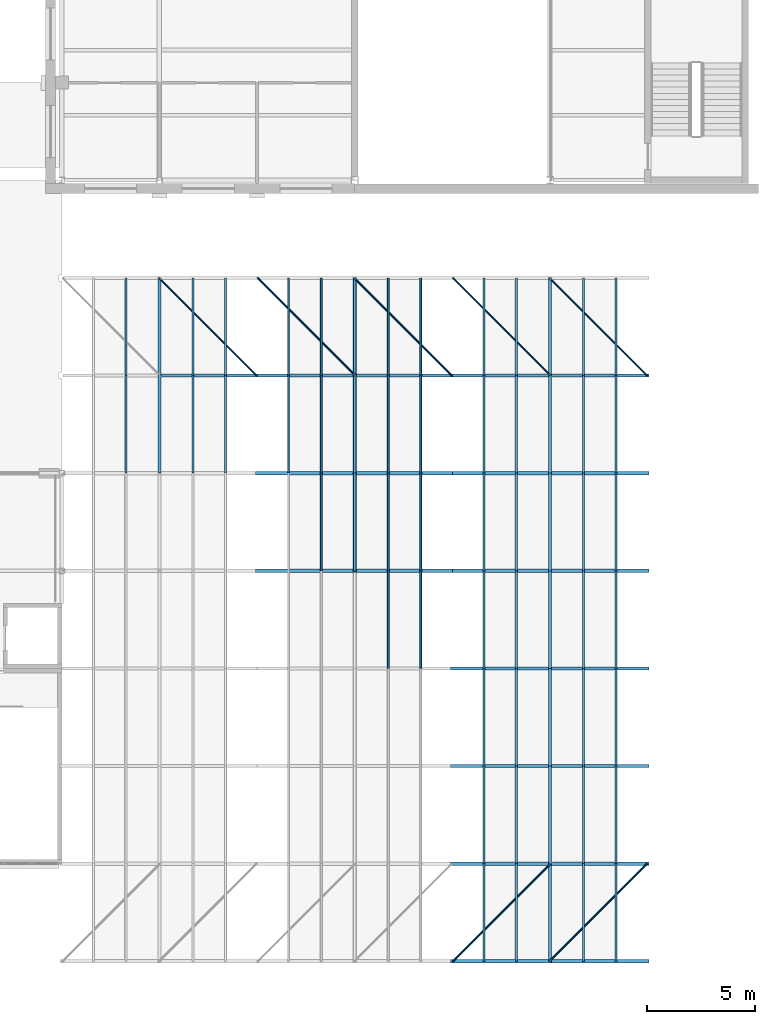
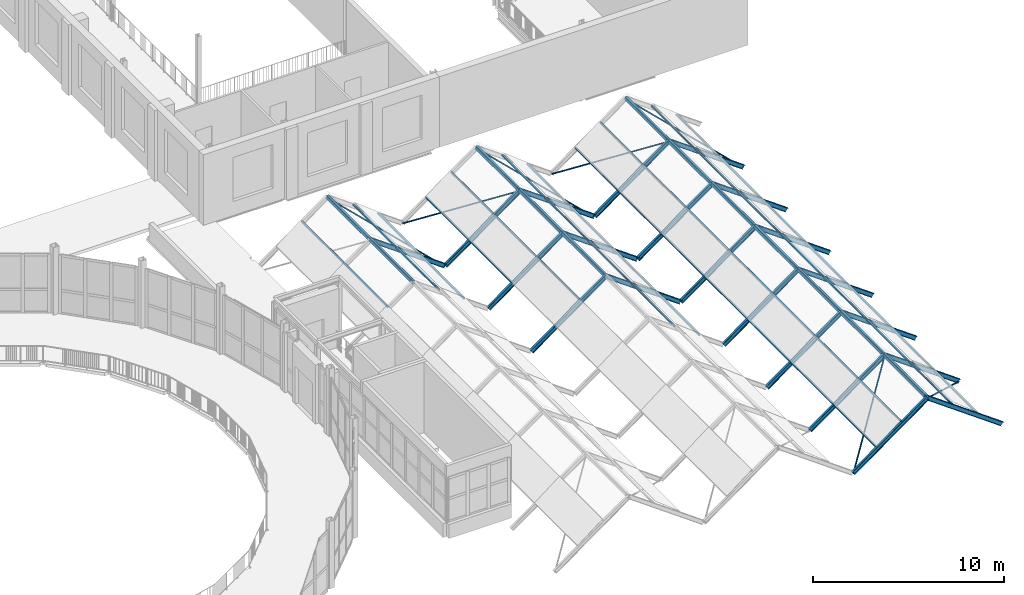
# One storey, part 23 of 74: 66 members, 21 beams.
"""IFC4 building model written with IfcOpenShell, lengths in metres."""

from ifc_helpers import new_model, si_unit, direction, frame, origin, origin_2d, place, context, subcontext, project, spatial, hollow_rectangle, hollow_circle, i_section, extrude, material, material_profile, profile_set, type_object, element, save


model = new_model("IFC4")

# Units and contexts
model_context = context("Model", 3, precision=1e-05, world=origin(), true_north=direction((0.0, 1.0)))
body_context = subcontext(model_context, "Body", "Model", "MODEL_VIEW")
ifc_project = project(units=[si_unit("LENGTHUNIT", "METRE"), si_unit("AREAUNIT", "SQUARE_METRE"), si_unit("VOLUMEUNIT", "CUBIC_METRE"), si_unit("PLANEANGLEUNIT", "RADIAN"), si_unit("MASSUNIT", "GRAM", prefix="KILO")], contexts=[model_context])

# Site, building, storey
site_placement = place(None, origin())
site = spatial("IfcSite", under=ifc_project, at=site_placement, CompositionType="ELEMENT")
building_placement = place(site_placement, origin())
building = spatial("IfcBuilding", under=site, at=building_placement, Name="Hortulan Conservatory and Botanical Research Centre", CompositionType="ELEMENT")
storey_placement = place(building_placement, frame((0.0, 0.0, 6.0)))
storey = spatial("IfcBuildingStorey", under=building, at=storey_placement, Name="L01", CompositionType="ELEMENT", Elevation=6.0)

# Members
ifc_material_1 = material(Name="Steel Grade C350L0 (350 MPa, AS/NZS 1163)", Category="steel")
ifc_material_profile_1 = material_profile(ifc_material_1, hollow_circle(Radius=0.04443359375, WallThickness=0.005859375, at=origin_2d()), Name="88.9x5.9CHS")
ifc_profile_set_1 = profile_set([ifc_material_profile_1], Name="Steel Grade C350L0 (350 MPa, AS/NZS 1163)")
member_type_1 = type_object("IfcMemberType", Name="Climate House Bracing 88.9x5.9 CHS", PredefinedType="BRACE", material=ifc_profile_set_1)
for number, where, z_axis, x_axis, name in (
    (1, (85.4765625, 27.0, -0.928955078125), (-0.630092382257, 0.630092382257, 0.453836071335), (-0.707106781187, -0.707106781187, 0.0), "Temperate Glasshouse roof bracing E end bay 2"),
    (2, (85.5234375, 31.5, -0.928955078125), (0.630092382257, -0.630092382257, 0.453836071335), (0.707106781187, 0.707106781187, 0.0), "Arid Glasshouse roof bracing W end bay 2"),
    (3, (94.4765625, 27.0, -0.928955078125), (-0.630092382257, 0.630092382257, 0.453836071335), (-0.707106781187, -0.707106781187, 0.0), "Arid Glasshouse roof bracing E end bay 2"),
    (4, (94.5234375, 0.0, -0.928955078125), (0.630092382257, 0.630092382257, 0.453836071335), (-0.707106781187, 0.707106781187, 0.0), "Propagation and Quarantine Glasshouse roof bracing W end bay 1"),
    (5, (103.4765625, 4.5, -0.928955078125), (-0.630092382257, -0.630092382257, 0.453836071335), (0.707106781187, -0.707106781187, 0.0), "Propagation and Quarantine Glasshouse roof bracing E end bay 1"),
    (6, (94.5234375, 31.5, -0.928955078125), (0.630092382257, -0.630092382257, 0.453836071335), (0.707106781187, 0.707106781187, 0.0), "Propagation and Quarantine Glasshouse roof bracing W end bay 2"),
    (7, (103.4765625, 27.0, -0.928955078125), (-0.630092382257, 0.630092382257, 0.453836071335), (-0.707106781187, -0.707106781187, 0.0), "Propagation and Quarantine Glasshouse roof bracing E end bay 2"),
):
    element("IfcMember", number, at=place(storey_placement, frame(where, z_axis=z_axis, x_axis=x_axis)), inside=storey, type_object=member_type_1, Name=name, PredefinedType="BRACE", context=body_context, shape_type="SweptSolid", body=[
        extrude(hollow_circle(Radius=0.04443359375, WallThickness=0.005859375, at=origin_2d()), origin(), (0.0, 0.0, 1.0), 7.141845703125),
    ])
ifc_material_2 = material(Name="Steel Grade C450L0 (450 MPa, AS/NZS 1163)", Category="steel")
ifc_material_profile_2 = material_profile(ifc_material_2, hollow_rectangle(XDim=0.10009765625, YDim=0.10009765625, WallThickness=0.006103515625, InnerFilletRadius=0.009033203125, OuterFilletRadius=0.014892578125, at=origin_2d()), Name="100x100x6SHS")
ifc_profile_set_2 = profile_set([ifc_material_profile_2], Name="Steel Grade C450L0 (450 MPa, AS/NZS 1163)")
member_type_2 = type_object("IfcMemberType", Name="Climate House Purlin 100x100x6 SHS", PredefinedType="PURLIN", material=ifc_profile_set_2)
for number, where, z_axis, x_axis, name in (
    (8, (79.45556640625, 22.5, 1.325927734375), (0.0, 1.0, 0.0), (-1.0, 0.0, 0.0), "Temperate Glasshouse purlin W2 bay 6"),
    (9, (79.45556640625, 27.0, 1.325927734375), (0.0, 1.0, 0.0), (-1.0, 0.0, 0.0), "Temperate Glasshouse purlin W2 bay 7"),
    (10, (84.04443359375, 22.5, 0.24560546875), (0.0, 1.0, 0.0), (-1.0, 0.0, 0.0), "Temperate Glasshouse purlin E1 bay 6"),
    (11, (84.04443359375, 27.0, 0.24560546875), (0.0, 1.0, 0.0), (-1.0, 0.0, 0.0), "Temperate Glasshouse purlin E1 bay 7"),
    (12, (82.54443359375, 22.5, 1.325927734375), (0.0, 1.0, 0.0), (-1.0, 0.0, 0.0), "Temperate Glasshouse purlin E2 bay 6"),
    (13, (82.54443359375, 27.0, 1.325927734375), (0.0, 1.0, 0.0), (-1.0, 0.0, 0.0), "Temperate Glasshouse purlin E2 bay 7"),
    (14, (86.95556640625, 22.5, 0.24560546875), (0.0, 1.0, 0.0), (-1.0, 0.0, 0.0), "Arid Glasshouse purlin W1 bay 6"),
    (15, (86.95556640625, 27.0, 0.24560546875), (0.0, 1.0, 0.0), (-1.0, 0.0, 0.0), "Arid Glasshouse purlin W1 bay 7"),
    (16, (88.45556640625, 18.0, 1.325927734375), (0.0, 1.0, 0.0), (-1.0, 0.0, 0.0), "Arid Glasshouse purlin W2 bay 5"),
    (17, (88.45556640625, 22.5, 1.325927734375), (0.0, 1.0, 0.0), (-1.0, 0.0, 0.0), "Arid Glasshouse purlin W2 bay 6"),
    (18, (88.45556640625, 27.0, 1.325927734375), (0.0, 1.0, 0.0), (-1.0, 0.0, 0.0), "Arid Glasshouse purlin W2 bay 7"),
    (19, (93.04443359375, 13.5, 0.24560546875), (0.0, 1.0, 0.0), (-1.0, 0.0, 0.0), "Arid Glasshouse purlin E1 bay 4"),
    (20, (93.04443359375, 18.0, 0.24560546875), (0.0, 1.0, 0.0), (-1.0, 0.0, 0.0), "Arid Glasshouse purlin E1 bay 5"),
    (21, (93.04443359375, 22.5, 0.24560546875), (0.0, 1.0, 0.0), (-1.0, 0.0, 0.0), "Arid Glasshouse purlin E1 bay 6"),
    (22, (93.04443359375, 27.0, 0.24560546875), (0.0, 1.0, 0.0), (-1.0, 0.0, 0.0), "Arid Glasshouse purlin E1 bay 7"),
    (23, (91.54443359375, 13.5, 1.325927734375), (0.0, 1.0, 0.0), (-1.0, 0.0, 0.0), "Arid Glasshouse purlin E2 bay 4"),
    (24, (91.54443359375, 18.0, 1.325927734375), (0.0, 1.0, 0.0), (-1.0, 0.0, 0.0), "Arid Glasshouse purlin E2 bay 5"),
    (25, (91.54443359375, 22.5, 1.325927734375), (0.0, 1.0, 0.0), (-1.0, 0.0, 0.0), "Arid Glasshouse purlin E2 bay 6"),
    (26, (91.54443359375, 27.0, 1.325927734375), (0.0, 1.0, 0.0), (-1.0, 0.0, 0.0), "Arid Glasshouse purlin E2 bay 7"),
    (27, (95.95556640625, 0.0, 0.24560546875), (0.0, 1.0, 0.0), (-1.0, 0.0, 0.0), "Propagation and Quarantine Glasshouse purlin W1 bay 1"),
    (28, (95.95556640625, 4.5, 0.24560546875), (0.0, 1.0, 0.0), (-1.0, 0.0, 0.0), "Propagation and Quarantine Glasshouse purlin W1 bay 2"),
    (29, (95.95556640625, 9.0, 0.24560546875), (0.0, 1.0, 0.0), (-1.0, 0.0, 0.0), "Propagation and Quarantine Glasshouse purlin W1 bay 3"),
    (30, (95.95556640625, 13.5, 0.24560546875), (0.0, 1.0, 0.0), (-1.0, 0.0, 0.0), "Propagation and Quarantine Glasshouse purlin W1 bay 4"),
    (31, (95.95556640625, 18.0, 0.24560546875), (0.0, 1.0, 0.0), (-1.0, 0.0, 0.0), "Propagation and Quarantine Glasshouse purlin W1 bay 5"),
    (32, (95.95556640625, 22.5, 0.24560546875), (0.0, 1.0, 0.0), (-1.0, 0.0, 0.0), "Propagation and Quarantine Glasshouse purlin W1 bay 6"),
    (33, (95.95556640625, 27.0, 0.24560546875), (0.0, 1.0, 0.0), (-1.0, 0.0, 0.0), "Propagation and Quarantine Glasshouse purlin W1 bay 7"),
    (34, (97.45556640625, 0.0, 1.325927734375), (0.0, 1.0, 0.0), (-1.0, 0.0, 0.0), "Propagation and Quarantine Glasshouse purlin W2 bay 1"),
    (35, (97.45556640625, 4.5, 1.325927734375), (0.0, 1.0, 0.0), (-1.0, 0.0, 0.0), "Propagation and Quarantine Glasshouse purlin W2 bay 2"),
    (36, (97.45556640625, 9.0, 1.325927734375), (0.0, 1.0, 0.0), (-1.0, 0.0, 0.0), "Propagation and Quarantine Glasshouse purlin W2 bay 3"),
    (37, (97.45556640625, 13.5, 1.325927734375), (0.0, 1.0, 0.0), (-1.0, 0.0, 0.0), "Propagation and Quarantine Glasshouse purlin W2 bay 4"),
    (38, (97.45556640625, 18.0, 1.325927734375), (0.0, 1.0, 0.0), (-1.0, 0.0, 0.0), "Propagation and Quarantine Glasshouse purlin W2 bay 5"),
    (39, (97.45556640625, 22.5, 1.325927734375), (0.0, 1.0, 0.0), (-1.0, 0.0, 0.0), "Propagation and Quarantine Glasshouse purlin W2 bay 6"),
    (40, (97.45556640625, 27.0, 1.325927734375), (0.0, 1.0, 0.0), (-1.0, 0.0, 0.0), "Propagation and Quarantine Glasshouse purlin W2 bay 7"),
    (41, (102.04443359375, 0.0, 0.24560546875), (0.0, 1.0, 0.0), (-1.0, 0.0, 0.0), "Propagation and Quarantine Glasshouse purlin E1 bay 1"),
    (42, (102.04443359375, 4.5, 0.24560546875), (0.0, 1.0, 0.0), (-1.0, 0.0, 0.0), "Propagation and Quarantine Glasshouse purlin E1 bay 2"),
    (43, (102.04443359375, 9.0, 0.24560546875), (0.0, 1.0, 0.0), (-1.0, 0.0, 0.0), "Propagation and Quarantine Glasshouse purlin E1 bay 3"),
    (44, (102.04443359375, 13.5, 0.24560546875), (0.0, 1.0, 0.0), (-1.0, 0.0, 0.0), "Propagation and Quarantine Glasshouse purlin E1 bay 4"),
    (45, (102.04443359375, 18.0, 0.24560546875), (0.0, 1.0, 0.0), (-1.0, 0.0, 0.0), "Propagation and Quarantine Glasshouse purlin E1 bay 5"),
    (46, (102.04443359375, 22.5, 0.24560546875), (0.0, 1.0, 0.0), (-1.0, 0.0, 0.0), "Propagation and Quarantine Glasshouse purlin E1 bay 6"),
    (47, (102.04443359375, 27.0, 0.24560546875), (0.0, 1.0, 0.0), (-1.0, 0.0, 0.0), "Propagation and Quarantine Glasshouse purlin E1 bay 7"),
    (48, (100.54443359375, 0.0, 1.325927734375), (0.0, 1.0, 0.0), (-1.0, 0.0, 0.0), "Propagation and Quarantine Glasshouse purlin E2 bay 1"),
    (49, (100.54443359375, 4.5, 1.325927734375), (0.0, 1.0, 0.0), (-1.0, 0.0, 0.0), "Propagation and Quarantine Glasshouse purlin E2 bay 2"),
    (50, (100.54443359375, 9.0, 1.325927734375), (0.0, 1.0, 0.0), (-1.0, 0.0, 0.0), "Propagation and Quarantine Glasshouse purlin E2 bay 3"),
    (51, (100.54443359375, 13.5, 1.325927734375), (0.0, 1.0, 0.0), (-1.0, 0.0, 0.0), "Propagation and Quarantine Glasshouse purlin E2 bay 4"),
    (52, (100.54443359375, 18.0, 1.325927734375), (0.0, 1.0, 0.0), (-1.0, 0.0, 0.0), "Propagation and Quarantine Glasshouse purlin E2 bay 5"),
    (53, (100.54443359375, 22.5, 1.325927734375), (0.0, 1.0, 0.0), (-1.0, 0.0, 0.0), "Propagation and Quarantine Glasshouse purlin E2 bay 6"),
    (54, (100.54443359375, 27.0, 1.325927734375), (0.0, 1.0, 0.0), (-1.0, 0.0, 0.0), "Propagation and Quarantine Glasshouse purlin E2 bay 7"),
):
    element("IfcMember", number, at=place(storey_placement, frame(where, z_axis=z_axis, x_axis=x_axis)), inside=storey, type_object=member_type_2, Name=name, PredefinedType="PURLIN", context=body_context, shape_type="SweptSolid", body=[
        extrude(hollow_rectangle(XDim=0.10009765625, YDim=0.10009765625, WallThickness=0.006103515625, InnerFilletRadius=0.009033203125, OuterFilletRadius=0.014892578125, at=origin_2d()), origin(), (0.0, 0.0, 1.0), 4.5),
    ])

# Beams
ifc_material_3 = material(Name="Steel Grade 300PLUS (AS/NZS 3679.1, 280 MPa minimum yield)", Category="steel")
ifc_material_profile_3 = material_profile(ifc_material_3, i_section(OverallWidth=0.14599609375, OverallDepth=0.251953125, WebThickness=0.006103515625, FlangeThickness=0.008544921875, FilletRadius=0.0087890625, at=origin_2d()), Name="250UB31.4")
ifc_profile_set_3 = profile_set([ifc_material_profile_3], Name="Steel Grade 300PLUS (AS/NZS 3679.1, 280 MPa minimum yield)")
beam_type = type_object("IfcBeamType", Name="Climate House Rafter 250UB31.4", PredefinedType="BEAM", material=ifc_profile_set_3)
for number, where, z_axis, x_axis, name in (
    (55, (85.5, 27.0, -0.896484375), (-0.811430788987, 0.0, 0.584448521842), (0.0, -1.0, 0.0), "Temperate Glasshouse rafter east frame 7"),
    (56, (85.5, 18.0, -0.896484375), (0.811430788987, 0.0, 0.584448521842), (0.0, 1.0, 0.0), "Arid Glasshouse rafter west frame 5"),
    (57, (94.5, 18.0, -0.896484375), (-0.811430788987, 0.0, 0.584448521842), (0.0, -1.0, 0.0), "Arid Glasshouse rafter east frame 5"),
    (58, (85.5, 22.5, -0.896484375), (0.811430788987, 0.0, 0.584448521842), (0.0, 1.0, 0.0), "Arid Glasshouse rafter west frame 6"),
    (59, (94.5, 22.5, -0.896484375), (-0.811430788987, 0.0, 0.584448521842), (0.0, -1.0, 0.0), "Arid Glasshouse rafter east frame 6"),
    (60, (85.5, 27.0, -0.896484375), (0.811430788987, 0.0, 0.584448521842), (0.0, 1.0, 0.0), "Arid Glasshouse rafter west frame 7"),
    (61, (94.5, 27.0, -0.896484375), (-0.811430788987, 0.0, 0.584448521842), (0.0, -1.0, 0.0), "Arid Glasshouse rafter east frame 7"),
    (62, (94.5, 0.0, -0.896484375), (0.811430788987, 0.0, 0.584448521842), (0.0, 1.0, 0.0), "Propagation and Quarantine Glasshouse rafter west frame 1"),
    (63, (103.5, 0.0, -0.896484375), (-0.811430788987, 0.0, 0.584448521842), (0.0, -1.0, 0.0), "Propagation and Quarantine Glasshouse rafter east frame 1"),
    (64, (94.5, 4.5, -0.896484375), (0.811430788987, 0.0, 0.584448521842), (0.0, 1.0, 0.0), "Propagation and Quarantine Glasshouse rafter west frame 2"),
    (65, (103.5, 4.5, -0.896484375), (-0.811430788987, 0.0, 0.584448521842), (0.0, -1.0, 0.0), "Propagation and Quarantine Glasshouse rafter east frame 2"),
    (66, (94.5, 9.0, -0.896484375), (0.811430788987, 0.0, 0.584448521842), (0.0, 1.0, 0.0), "Propagation and Quarantine Glasshouse rafter west frame 3"),
    (67, (103.5, 9.0, -0.896484375), (-0.811430788987, 0.0, 0.584448521842), (0.0, -1.0, 0.0), "Propagation and Quarantine Glasshouse rafter east frame 3"),
    (68, (94.5, 13.5, -0.896484375), (0.811430788987, 0.0, 0.584448521842), (0.0, 1.0, 0.0), "Propagation and Quarantine Glasshouse rafter west frame 4"),
    (69, (103.5, 13.5, -0.896484375), (-0.811430788987, 0.0, 0.584448521842), (0.0, -1.0, 0.0), "Propagation and Quarantine Glasshouse rafter east frame 4"),
    (70, (94.5, 18.0, -0.896484375), (0.811430788987, 0.0, 0.584448521842), (0.0, 1.0, 0.0), "Propagation and Quarantine Glasshouse rafter west frame 5"),
    (71, (103.5, 18.0, -0.896484375), (-0.811430788987, 0.0, 0.584448521842), (0.0, -1.0, 0.0), "Propagation and Quarantine Glasshouse rafter east frame 5"),
    (72, (94.5, 22.5, -0.896484375), (0.811430788987, 0.0, 0.584448521842), (0.0, 1.0, 0.0), "Propagation and Quarantine Glasshouse rafter west frame 6"),
    (73, (103.5, 22.5, -0.896484375), (-0.811430788987, 0.0, 0.584448521842), (0.0, -1.0, 0.0), "Propagation and Quarantine Glasshouse rafter east frame 6"),
    (74, (94.5, 27.0, -0.896484375), (0.811430788987, 0.0, 0.584448521842), (0.0, 1.0, 0.0), "Propagation and Quarantine Glasshouse rafter west frame 7"),
    (75, (103.5, 27.0, -0.896484375), (-0.811430788987, 0.0, 0.584448521842), (0.0, -1.0, 0.0), "Propagation and Quarantine Glasshouse rafter east frame 7"),
):
    element("IfcBeam", number, at=place(storey_placement, frame(where, z_axis=z_axis, x_axis=x_axis)), inside=storey, type_object=beam_type, Name=name, PredefinedType="BEAM", context=body_context, shape_type="SweptSolid", body=[
        extrude(i_section(OverallWidth=0.14599609375, OverallDepth=0.251953125, WebThickness=0.006103515625, FlangeThickness=0.008544921875, FilletRadius=0.0087890625, at=origin_2d()), origin(), (0.0, 0.0, 1.0), 5.545654296875),
    ])

# Members
ifc_material_profile_4 = material_profile(ifc_material_2, hollow_rectangle(XDim=0.14990234375, YDim=0.25, WallThickness=0.009033203125, InnerFilletRadius=0.013427734375, OuterFilletRadius=0.0224609375, at=origin_2d()), Name="250x150x9RHS")
ifc_profile_set_4 = profile_set([ifc_material_profile_4], Name="Steel Grade C450L0 (450 MPa, AS/NZS 1163)")
member_type_3 = type_object("IfcMemberType", Name="Climate House Ridge Member 250x150x9 RHS", PredefinedType="MEMBER", material=ifc_profile_set_4)
for number, where, z_axis, x_axis, name in (
    (76, (81.0, 22.5, 2.3447265625), (0.0, 1.0, 0.0), (-1.0, 0.0, 0.0), "Temperate Glasshouse ridge bay 6"),
    (77, (81.0, 27.0, 2.3447265625), (0.0, 1.0, 0.0), (-1.0, 0.0, 0.0), "Temperate Glasshouse ridge bay 7"),
    (78, (90.0, 18.0, 2.3447265625), (0.0, 1.0, 0.0), (-1.0, 0.0, 0.0), "Arid Glasshouse ridge bay 5"),
    (79, (90.0, 22.5, 2.3447265625), (0.0, 1.0, 0.0), (-1.0, 0.0, 0.0), "Arid Glasshouse ridge bay 6"),
    (80, (90.0, 27.0, 2.3447265625), (0.0, 1.0, 0.0), (-1.0, 0.0, 0.0), "Arid Glasshouse ridge bay 7"),
    (81, (99.0, 0.0, 2.3447265625), (0.0, 1.0, 0.0), (-1.0, 0.0, 0.0), "Propagation and Quarantine Glasshouse ridge bay 1"),
    (82, (99.0, 4.5, 2.3447265625), (0.0, 1.0, 0.0), (-1.0, 0.0, 0.0), "Propagation and Quarantine Glasshouse ridge bay 2"),
    (83, (99.0, 9.0, 2.3447265625), (0.0, 1.0, 0.0), (-1.0, 0.0, 0.0), "Propagation and Quarantine Glasshouse ridge bay 3"),
    (84, (99.0, 13.5, 2.3447265625), (0.0, 1.0, 0.0), (-1.0, 0.0, 0.0), "Propagation and Quarantine Glasshouse ridge bay 4"),
    (85, (99.0, 18.0, 2.3447265625), (0.0, 1.0, 0.0), (-1.0, 0.0, 0.0), "Propagation and Quarantine Glasshouse ridge bay 5"),
    (86, (99.0, 22.5, 2.3447265625), (0.0, 1.0, 0.0), (-1.0, 0.0, 0.0), "Propagation and Quarantine Glasshouse ridge bay 6"),
    (87, (99.0, 27.0, 2.3447265625), (0.0, 1.0, 0.0), (-1.0, 0.0, 0.0), "Propagation and Quarantine Glasshouse ridge bay 7"),
):
    element("IfcMember", number, at=place(storey_placement, frame(where, z_axis=z_axis, x_axis=x_axis)), inside=storey, type_object=member_type_3, Name=name, PredefinedType="MEMBER", context=body_context, shape_type="SweptSolid", body=[
        extrude(hollow_rectangle(XDim=0.14990234375, YDim=0.25, WallThickness=0.009033203125, InnerFilletRadius=0.013427734375, OuterFilletRadius=0.0224609375, at=origin_2d()), origin(), (0.0, 0.0, 1.0), 4.5),
    ])

save(model, "model.ifc")
